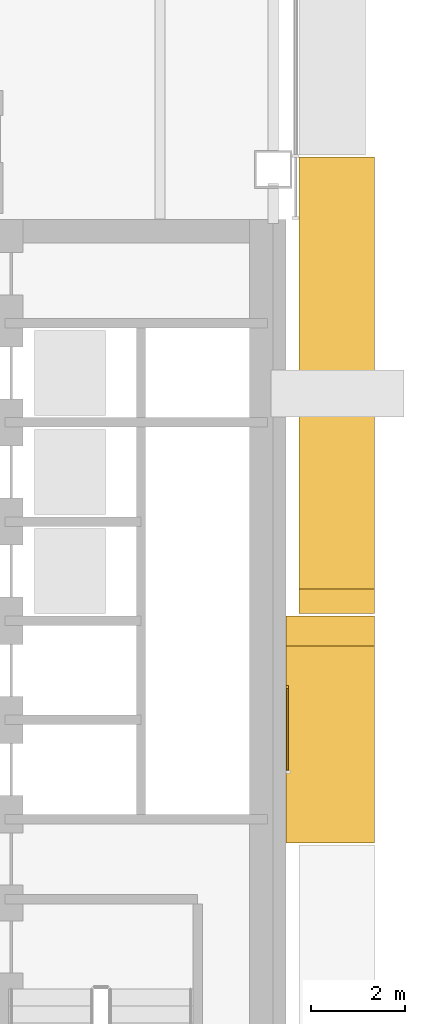
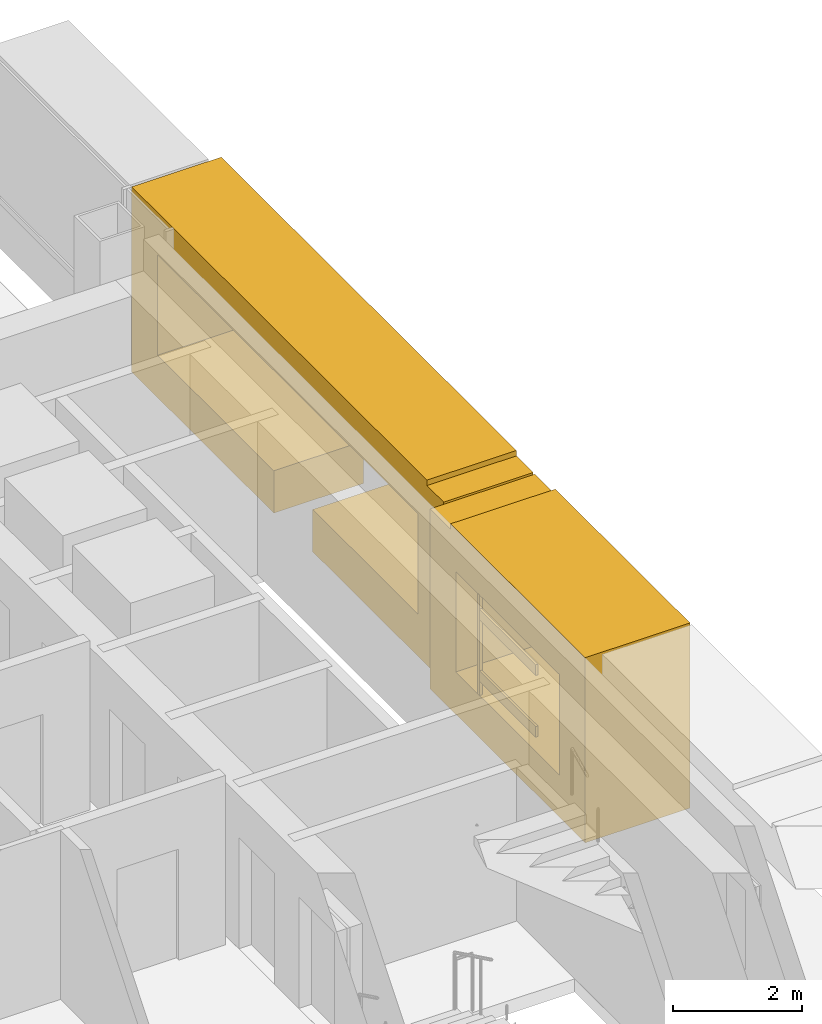
# One storey, part 19 of 21: 5 coverings.
"""IFC4 building model written with IfcOpenShell, lengths in metres."""

from ifc_helpers import new_model, si_unit, direction, frame, origin, origin_2d, place, context, subcontext, project, spatial, polyline, rectangle, outline, extrude, material, type_object, element, save


model = new_model("IFC4")

# Units and contexts
model_context = context("Model", 3, precision=1e-05, world=origin(), true_north=direction((0.0, 1.0)))
body_context = subcontext(model_context, "Body", "Model", "MODEL_VIEW")
ifc_project = project(units=[si_unit("LENGTHUNIT", "METRE"), si_unit("AREAUNIT", "SQUARE_METRE"), si_unit("VOLUMEUNIT", "CUBIC_METRE"), si_unit("PLANEANGLEUNIT", "RADIAN"), si_unit("MASSUNIT", "GRAM", prefix="KILO")], contexts=[model_context])

# Site, building, storey
site_placement = place(None, origin())
site = spatial("IfcSite", under=ifc_project, at=site_placement, CompositionType="ELEMENT")
building_placement = place(site_placement, origin())
building = spatial("IfcBuilding", under=site, at=building_placement, Name="Cobrizo Arcos Hotel Tower", CompositionType="ELEMENT")
storey_placement = place(building_placement, frame((0.0, 0.0, 183.0)))
storey = spatial("IfcBuildingStorey", under=building, at=storey_placement, Name="L47", CompositionType="ELEMENT", Elevation=183.0)

# Coverings
ifc_material_1 = material(Name="Aluminium 6063-T6 anodised bronze", Category="aluminium")
covering_type_1 = type_object("IfcCoveringType", Name="FIN-F 1600", PredefinedType="CLADDING", material=ifc_material_1)
covering_1_placement = place(storey_placement, frame((22.14990234375, 2.45361328125, 0.0), z_axis=(1.0, 0.0, 0.0), x_axis=(0.0, 1.0, 0.0)))
element("IfcCovering", 1, at=covering_1_placement, inside=storey, type_object=covering_type_1, Name="Fin frame 229", PredefinedType="CLADDING", context=body_context, shape_type="SweptSolid", body=[
    extrude(outline(polyline([(0.0, 0.0), (4.05859375, 0.0), (4.05859375, 0.800048828125), (0.800048828125, 0.800048828125), (0.800048828125, 2.699951171875), (8.8642578125, 2.699951171875), (8.8642578125, 0.800048828125), (5.2626953125, 0.800048828125), (5.2626953125, 0.0), (9.664306640625, 0.0), (9.664306640625, 3.5), (0.519775390625, 3.5), (0.519775390625, 3.39794921875), (0.0, 3.39794921875), (0.0, 0.0)])), origin(), (0.0, 0.0, 1.0), 1.60009765625),
])
covering_type_2 = type_object("IfcCoveringType", Name="FIN-F 1875", PredefinedType="CLADDING", material=ifc_material_1)
covering_2_placement = place(storey_placement, frame((21.875, -2.403564453125, 0.0), z_axis=(1.0, 0.0, 0.0), x_axis=(0.0, 1.0, 0.0)))
element("IfcCovering", 2, at=covering_2_placement, inside=storey, type_object=covering_type_2, Name="Fin frame 228", PredefinedType="CLADDING", context=body_context, shape_type="SweptSolid", body=[
    extrude(outline(polyline([(4.80712890625, 0.0), (4.80712890625, 3.39794921875), (4.173095703125, 3.39794921875), (4.173095703125, 3.5), (0.0, 3.5), (0.0, 0.0), (4.80712890625, 0.0)]), holes=[polyline([(4.007080078125, 0.800048828125), (0.800048828125, 0.800048828125), (0.800048828125, 2.699951171875), (4.007080078125, 2.699951171875), (4.007080078125, 0.800048828125)])]), origin(), (0.0, 0.0, 1.0), 1.875),
])
ifc_material_2 = material(Name="Aluminium 6063-T6 anodised pale", Category="aluminium")
covering_type_3 = type_object("IfcCoveringType", Name="RS-2 rainscreen rib 60x50", PredefinedType="CLADDING", material=ifc_material_2)
covering_3_placement = place(storey_placement, frame((21.89990234375, 0.89990234375, 0.800048828125), z_axis=(0.0, 0.0, 1.0), x_axis=(0.0, 1.0, 0.0)))
element("IfcCovering", 3, at=covering_3_placement, inside=storey, type_object=covering_type_3, Name="Rainscreen rib 180", PredefinedType="CLADDING", context=body_context, shape_type="SweptSolid", body=[
    extrude(rectangle(XDim=0.06005859375, YDim=0.050048828125, at=origin_2d()), origin(), (0.0, 0.0, 1.0), 1.89990234375),
])
covering_type_4 = type_object("IfcCoveringType", Name="RS-3 rainscreen louvre slat 200x40", PredefinedType="CLADDING", material=ifc_material_2)
for number, where, z_axis, x_axis, name in (
    (4, (21.89501953125, 0.0, 1.06689453125), (0.0, 0.0, 1.0), (0.0, 1.0, 0.0), "Rainscreen slat 29"),
    (5, (21.89501953125, 0.0, 2.2333984375), (0.0, 0.0, 1.0), (0.0, 1.0, 0.0), "Rainscreen slat 30"),
):
    element("IfcCovering", number, at=place(storey_placement, frame(where, z_axis=z_axis, x_axis=x_axis)), inside=storey, type_object=covering_type_4, Name=name, PredefinedType="CLADDING", context=body_context, shape_type="SweptSolid", body=[
        extrude(rectangle(XDim=1.739990234375, YDim=0.0400390625, at=origin_2d()), origin(), (0.0, 0.0, 1.0), 0.199951171875),
    ])

save(model, "model.ifc")
